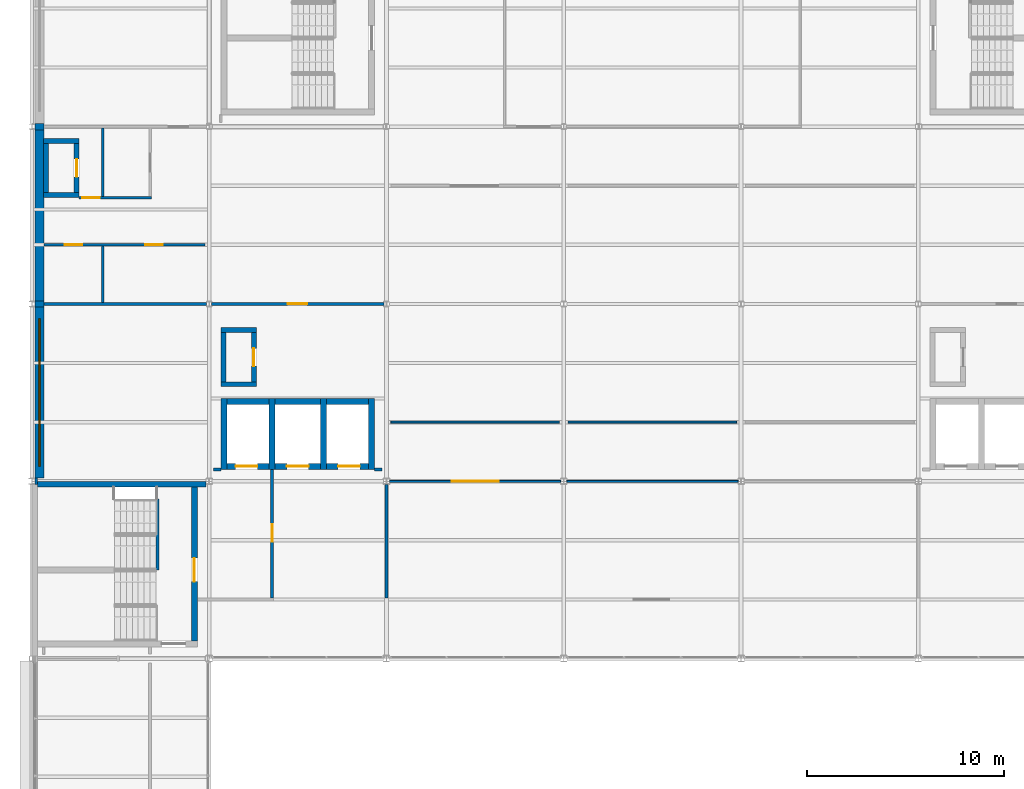
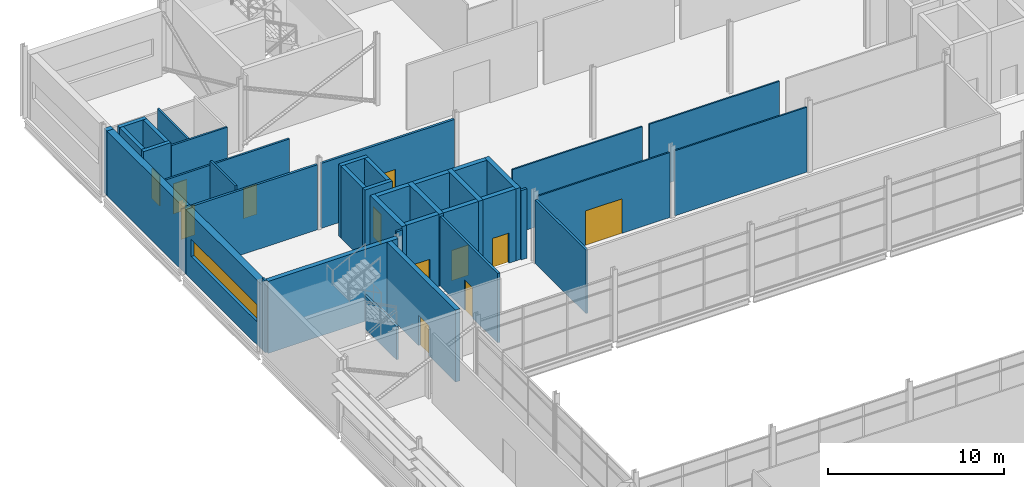
# One storey, part 50 of 61: 40 walls, 12 doors, 1 window, 13 openings.
"""IFC4 building model written with IfcOpenShell, lengths in metres."""

from ifc_helpers import new_model, si_unit, direction, frame, frame_2d, origin, place, context, subcontext, project, spatial, rectangle, extrude, material, layer, layer_set, type_object, element, fill, save


model = new_model("IFC4")

# Units and contexts
model_context = context("Model", 3, precision=1e-05, world=origin(), true_north=direction((0.0, 1.0)))
body_context = subcontext(model_context, "Body", "Model", "MODEL_VIEW")
ifc_project = project(units=[si_unit("LENGTHUNIT", "METRE"), si_unit("AREAUNIT", "SQUARE_METRE"), si_unit("VOLUMEUNIT", "CUBIC_METRE"), si_unit("PLANEANGLEUNIT", "RADIAN"), si_unit("MASSUNIT", "GRAM", prefix="KILO")], contexts=[model_context])

# Site, building, storey
site_placement = place(None, origin())
site = spatial("IfcSite", under=ifc_project, at=site_placement, CompositionType="ELEMENT")
building_placement = place(site_placement, origin())
building = spatial("IfcBuilding", under=site, at=building_placement, Name="Shorebreak Coast Museum", CompositionType="ELEMENT")
storey_placement = place(building_placement, frame((0.0, 0.0, 26.0)))
storey = spatial("IfcBuildingStorey", under=building, at=storey_placement, Name="L04", CompositionType="ELEMENT", Elevation=26.0)

# Walls
ifc_material_1 = material(Name="Concrete N50 (50 MPa)", Category="concrete")
ifc_layer_1 = layer(ifc_material_1, 0.13134765625)
ifc_layer_set_1 = layer_set([ifc_layer_1], Name="Concrete N50 (50 MPa)")
wall_type_1 = type_object("IfcWallType", Name="Column closure panel 131", PredefinedType="SOLIDWALL", material=ifc_layer_set_1)
wall_1_placement = place(storey_placement, frame((54.234375, 89.83642578125, 0.0), z_axis=(0.0, 0.0, 1.0), x_axis=(0.0, 1.0, 0.0)))
element("IfcWall", 1, at=wall_1_placement, inside=storey, type_object=wall_type_1, Name="Column closure panel L04 W 7L", PredefinedType="SOLIDWALL", context=body_context, shape_type="SweptSolid", body=[
    extrude(rectangle(XDim=0.3271484375, YDim=0.13134765625, at=frame_2d((0.16357421875, 0.0))), origin(), (0.0, 0.0, 1.0), 5.0),
])
ifc_material_2 = material(Name="Concrete N50 (50 MPa)", Category="concrete")
ifc_layer_2 = layer(ifc_material_2, 0.449951171875)
ifc_layer_set_2 = layer_set([ifc_layer_2], Name="Concrete N50 (50 MPa)")
wall_type_2 = type_object("IfcWallType", Name="Column closure panel 450", PredefinedType="SOLIDWALL", material=ifc_layer_set_2)
for number, where, z_axis, x_axis, name in (
    (2, (54.3935546875, 98.839111328125, 0.0), (0.0, 0.0, 1.0), (0.0, 1.0, 0.0), "Column closure panel L04 W 7M"),
    (3, (54.3935546875, 107.839111328125, 0.0), (0.0, 0.0, 1.0), (0.0, 1.0, 0.0), "Column closure panel L04 W 7N"),
):
    element("IfcWall", number, at=place(storey_placement, frame(where, z_axis=z_axis, x_axis=x_axis)), inside=storey, type_object=wall_type_2, Name=name, PredefinedType="SOLIDWALL", context=body_context, shape_type="SweptSolid", body=[
        extrude(rectangle(XDim=0.32177734375, YDim=0.449951171875, at=frame_2d((0.160888671875, 0.0))), origin(), (0.0, 0.0, 1.0), 4.497802734375),
    ])

# Wall, opening, window
ifc_material_3 = material(Name="Concrete N50 (50 MPa)", Category="concrete")
ifc_layer_3 = layer(ifc_material_3, 0.449951171875)
ifc_layer_set_3 = layer_set([ifc_layer_3], Name="Concrete N50 (50 MPa)")
wall_type_3 = type_object("IfcWallType", Name="Deep-set precast panel 450", PredefinedType="SOLIDWALL", material=ifc_layer_set_3)
wall_2_placement = place(storey_placement, frame((54.3935546875, 90.16357421875, 0.0), z_axis=(0.0, 0.0, 1.0), x_axis=(0.0, 1.0, 0.0)))
wall_2 = element("IfcWall", 4, at=wall_2_placement, inside=storey, type_object=wall_type_3, Name="External wall L04 W 7L", PredefinedType="SOLIDWALL", context=body_context, shape_type="SweptSolid", body=[
    extrude(rectangle(XDim=8.675537109375, YDim=0.449951171875, at=frame_2d((4.337890625, 0.0))), origin(), (0.0, 0.0, 1.0), 4.497802734375),
])
opening_1_placement = place(wall_2_placement, frame((0.58642578125, 0.0, 1.60009765625)))
opening_1 = element("IfcOpeningElement", 5, at=opening_1_placement, cuts=wall_2, Name="Opening WN4008", PredefinedType="OPENING", context=body_context, shape_type="SweptSolid", body=[
    extrude(rectangle(XDim=7.5, YDim=1.199951171875, at=frame_2d((3.75, 0.60009765625))), frame((0.0, 0.23486328125, 0.0), z_axis=(0.0, -1.0, 0.0), x_axis=(1.0, 0.0, 0.0)), (0.0, 0.0, 1.0), 0.469970703125),
])
ifc_material_4 = material(Name="Aluminium", Category="aluminium")
window_type = type_object("IfcWindowType", Name="Ribbon window 7500 x 1200", PartitioningType="SINGLE_PANEL", PredefinedType="WINDOW", material=ifc_material_4)
window_placement = place(opening_1_placement, origin())
window = element("IfcWindow", 6, at=window_placement, inside=storey, type_object=window_type, Name="Window WN4008", OverallHeight=1.199951171875, OverallWidth=7.5, PartitioningType="SINGLE_PANEL", PredefinedType="WINDOW", context=body_context, shape_type="SweptSolid", body=[
    extrude(rectangle(XDim=7.5, YDim=1.199951171875, at=frame_2d((3.75, 0.60009765625))), frame((0.0, 0.030029296875, 0.0), z_axis=(0.0, -1.0, 0.0), x_axis=(1.0, 0.0, 0.0)), (0.0, 0.0, 1.0), 0.06005859375),
])
fill(opening_1, window)

# Walls
wall_3_placement = place(storey_placement, frame((54.3935546875, 99.160888671875, 0.0), z_axis=(0.0, 0.0, 1.0), x_axis=(0.0, 1.0, 0.0)))
element("IfcWall", 7, at=wall_3_placement, inside=storey, type_object=wall_type_3, Name="External wall L04 W 7M", PredefinedType="SOLIDWALL", context=body_context, shape_type="SweptSolid", body=[
    extrude(rectangle(XDim=8.67822265625, YDim=0.449951171875, at=frame_2d((4.339111328125, 0.0))), origin(), (0.0, 0.0, 1.0), 4.497802734375),
])
ifc_material_5 = material(Name="Plasterboard on steel stud", Category="steel")
ifc_layer_4 = layer(ifc_material_5, 0.14990234375)
ifc_layer_set_4 = layer_set([ifc_layer_4], Name="Plasterboard on steel stud")
wall_type_4 = type_object("IfcWallType", Name="Fire partition 150", PredefinedType="PARTITIONING", material=ifc_layer_set_4)
for number, where, z_axis, x_axis, name in (
    (8, (63.219970703125, 90.60009765625, 0.0), (0.0, 0.0, 1.0), (1.0, 0.0, 0.0), "Partition L04-010"),
    (9, (71.39990234375, 90.60009765625, 0.0), (0.0, 0.0, 1.0), (1.0, 0.0, 0.0), "Partition L04-011"),
):
    element("IfcWall", number, at=place(storey_placement, frame(where, z_axis=z_axis, x_axis=x_axis)), inside=storey, type_object=wall_type_4, Name=name, PredefinedType="PARTITIONING", context=body_context, shape_type="SweptSolid", body=[
        extrude(rectangle(XDim=0.380126953125, YDim=0.14990234375, at=frame_2d((0.18994140625, 0.0))), origin(), (0.0, 0.0, 1.0), 4.824951171875),
    ])
wall_4_placement = place(storey_placement, frame((54.61865234375, 99.0, 0.0), z_axis=(0.0, 0.0, 1.0), x_axis=(1.0, 0.0, 0.0)))
element("IfcWall", 10, at=wall_4_placement, inside=storey, type_object=wall_type_4, Name="Partition L04-017", PredefinedType="PARTITIONING", context=body_context, shape_type="SweptSolid", body=[
    extrude(rectangle(XDim=8.25341796875, YDim=0.14990234375, at=frame_2d((4.126708984375, 0.0))), origin(), (0.0, 0.0, 1.0), 4.517822265625),
])

# Wall, opening, door
wall_5_placement = place(storey_placement, frame((63.1279296875, 99.0, 0.0), z_axis=(0.0, 0.0, 1.0), x_axis=(1.0, 0.0, 0.0)))
wall_5 = element("IfcWall", 11, at=wall_5_placement, inside=storey, type_object=wall_type_4, Name="Partition L04-018", PredefinedType="PARTITIONING", context=body_context, shape_type="SweptSolid", body=[
    extrude(rectangle(XDim=8.744140625, YDim=0.14990234375, at=frame_2d((4.3720703125, 0.0))), origin(), (0.0, 0.0, 1.0), 4.517822265625),
])
opening_2_placement = place(wall_5_placement, frame((3.85009765625, 0.0, 0.0)))
opening_2 = element("IfcOpeningElement", 12, at=opening_2_placement, cuts=wall_5, Name="Opening D4009", PredefinedType="OPENING", context=body_context, shape_type="SweptSolid", body=[
    extrude(rectangle(XDim=1.0, YDim=2.39990234375, at=frame_2d((0.5, 1.199951171875))), frame((0.0, 0.0849609375, 0.0), z_axis=(0.0, -1.0, 0.0), x_axis=(1.0, 0.0, 0.0)), (0.0, 0.0, 1.0), 0.169921875),
])
ifc_material_6 = material(Name="Steel", Category="steel")
door_type_1 = type_object("IfcDoorType", Name="Fire door 1000x2400 60", OperationType="SINGLE_SWING_LEFT", PredefinedType="DOOR", material=ifc_material_6)
door_1_placement = place(opening_2_placement, origin())
door_1 = element("IfcDoor", 13, at=door_1_placement, inside=storey, type_object=door_type_1, Name="Door D4009 Lift Services Room W", OperationType="SINGLE_SWING_LEFT", OverallHeight=2.39990234375, OverallWidth=1.0, PredefinedType="DOOR", context=body_context, shape_type="SweptSolid", body=[
    extrude(rectangle(XDim=1.0, YDim=2.39990234375, at=frame_2d((0.5, 1.199951171875))), frame((0.0, 0.02490234375, 0.0), z_axis=(0.0, -1.0, 0.0), x_axis=(1.0, 0.0, 0.0)), (0.0, 0.0, 1.0), 0.050048828125),
])
fill(opening_2, door_1)

wall_6_placement = place(storey_placement, frame((66.199951171875, 84.074951171875, 0.0), z_axis=(0.0, 0.0, 1.0), x_axis=(0.0, 1.0, 0.0)))
wall_6 = element("IfcWall", 14, at=wall_6_placement, inside=storey, type_object=wall_type_4, Name="Partition L04-042", PredefinedType="PARTITIONING", context=body_context, shape_type="SweptSolid", body=[
    extrude(rectangle(XDim=6.525146484375, YDim=0.14990234375, at=frame_2d((3.2626953125, 0.0))), origin(), (0.0, 0.0, 1.0), 4.824951171875),
])
opening_3_placement = place(wall_6_placement, frame((2.85009765625, 0.0, 0.0)))
opening_3 = element("IfcOpeningElement", 15, at=opening_3_placement, cuts=wall_6, Name="Opening D4001", PredefinedType="OPENING", context=body_context, shape_type="SweptSolid", body=[
    extrude(rectangle(XDim=0.89990234375, YDim=2.10009765625, at=frame_2d((0.449951171875, 1.050048828125))), frame((0.0, 0.0849609375, 0.0), z_axis=(0.0, -1.0, 0.0), x_axis=(1.0, 0.0, 0.0)), (0.0, 0.0, 1.0), 0.169921875),
])
ifc_material_7 = material(Name="Steel", Category="steel")
door_type_2 = type_object("IfcDoorType", Name="Fire door 900x2100 60", OperationType="SINGLE_SWING_LEFT", PredefinedType="DOOR", material=ifc_material_7)
door_2_placement = place(opening_3_placement, origin())
door_2 = element("IfcDoor", 16, at=door_2_placement, inside=storey, type_object=door_type_2, Name="Door D4001 Firefighting Lift Lobby W", OperationType="SINGLE_SWING_LEFT", OverallHeight=2.10009765625, OverallWidth=0.89990234375, PredefinedType="DOOR", context=body_context, shape_type="SweptSolid", body=[
    extrude(rectangle(XDim=0.89990234375, YDim=2.10009765625, at=frame_2d((0.449951171875, 1.050048828125))), frame((0.0, 0.02490234375, 0.0), z_axis=(0.0, -1.0, 0.0), x_axis=(1.0, 0.0, 0.0)), (0.0, 0.0, 1.0), 0.050048828125),
])
fill(opening_3, door_2)

# Wall
wall_7_placement = place(storey_placement, frame((72.0, 84.074951171875, 0.0), z_axis=(0.0, 0.0, 1.0), x_axis=(0.0, 1.0, 0.0)))
element("IfcWall", 17, at=wall_7_placement, inside=storey, type_object=wall_type_4, Name="Partition L04-044", PredefinedType="PARTITIONING", context=body_context, shape_type="SweptSolid", body=[
    extrude(rectangle(XDim=5.761474609375, YDim=0.14990234375, at=frame_2d((2.880859375, 0.0))), origin(), (0.0, 0.0, 1.0), 4.418701171875),
])

# Wall, opening, door
ifc_material_8 = material(Name="Plasterboard on steel stud", Category="steel")
ifc_layer_5 = layer(ifc_material_8, 0.10009765625)
ifc_layer_set_5 = layer_set([ifc_layer_5], Name="Plasterboard on steel stud")
wall_type_5 = type_object("IfcWallType", Name="Partition 100", PredefinedType="PARTITIONING", material=ifc_layer_set_5)
wall_8_placement = place(storey_placement, frame((72.155517578125, 90.0, 0.0), z_axis=(0.0, 0.0, 1.0), x_axis=(1.0, 0.0, 0.0)))
wall_8 = element("IfcWall", 18, at=wall_8_placement, inside=storey, type_object=wall_type_5, Name="Partition L04-007", PredefinedType="PARTITIONING", context=body_context, shape_type="SweptSolid", body=[
    extrude(rectangle(XDim=8.68896484375, YDim=0.10009765625, at=frame_2d((4.344482421875, 0.0))), origin(), (0.0, 0.0, 1.0), 4.517822265625),
])
opening_4_placement = place(wall_8_placement, frame((3.14990234375, 0.0, 0.0)))
opening_4 = element("IfcOpeningElement", 19, at=opening_4_placement, cuts=wall_8, Name="Opening D4021", PredefinedType="OPENING", context=body_context, shape_type="SweptSolid", body=[
    extrude(rectangle(XDim=2.39990234375, YDim=2.39990234375, at=frame_2d((1.199951171875, 1.199951171875))), frame((0.0, 0.06005859375, 0.0), z_axis=(0.0, -1.0, 0.0), x_axis=(1.0, 0.0, 0.0)), (0.0, 0.0, 1.0), 0.1201171875),
])
ifc_material_9 = material(Name="Timber", Category="wood")
door_type_3 = type_object("IfcDoorType", Name="Interior door 2400x2400", OperationType="DOUBLE_DOOR_SINGLE_SWING", PredefinedType="DOOR", material=ifc_material_9)
door_3_placement = place(opening_4_placement, origin())
door_3 = element("IfcDoor", 20, at=door_3_placement, inside=storey, type_object=door_type_3, Name="Door D4021 Members Lounge", OperationType="DOUBLE_DOOR_SINGLE_SWING", OverallHeight=2.39990234375, OverallWidth=2.39990234375, PredefinedType="DOOR", context=body_context, shape_type="SweptSolid", body=[
    extrude(rectangle(XDim=2.39990234375, YDim=2.39990234375, at=frame_2d((1.199951171875, 1.199951171875))), frame((0.0, 0.02490234375, 0.0), z_axis=(0.0, -1.0, 0.0), x_axis=(1.0, 0.0, 0.0)), (0.0, 0.0, 1.0), 0.050048828125),
])
fill(opening_4, door_3)

# Walls
wall_9_placement = place(storey_placement, frame((81.155517578125, 90.0, 0.0), z_axis=(0.0, 0.0, 1.0), x_axis=(1.0, 0.0, 0.0)))
element("IfcWall", 21, at=wall_9_placement, inside=storey, type_object=wall_type_5, Name="Partition L04-008", PredefinedType="PARTITIONING", context=body_context, shape_type="SweptSolid", body=[
    extrude(rectangle(XDim=8.68896484375, YDim=0.10009765625, at=frame_2d((4.344482421875, 0.0))), origin(), (0.0, 0.0, 1.0), 4.517822265625),
])
for number, where, z_axis, x_axis, name in (
    (22, (72.219970703125, 93.0, 0.0), (0.0, 0.0, 1.0), (1.0, 0.0, 0.0), "Partition L04-014"),
    (23, (81.219970703125, 93.0, 0.0), (0.0, 0.0, 1.0), (1.0, 0.0, 0.0), "Partition L04-015"),
):
    element("IfcWall", number, at=place(storey_placement, frame(where, z_axis=z_axis, x_axis=x_axis)), inside=storey, type_object=wall_type_5, Name=name, PredefinedType="PARTITIONING", context=body_context, shape_type="SweptSolid", body=[
        extrude(rectangle(XDim=8.56005859375, YDim=0.10009765625, at=frame_2d((4.280029296875, 0.0))), origin(), (0.0, 0.0, 1.0), 4.52099609375),
    ])

# Wall, openings, doors
ifc_material_10 = material(Name="Plasterboard on steel stud", Category="steel")
ifc_layer_6 = layer(ifc_material_10, 0.125)
ifc_layer_set_6 = layer_set([ifc_layer_6], Name="Plasterboard on steel stud")
wall_type_6 = type_object("IfcWallType", Name="Partition 125", PredefinedType="PARTITIONING", material=ifc_layer_set_6)
wall_10_placement = place(storey_placement, frame((54.61865234375, 102.0, 0.0), z_axis=(0.0, 0.0, 1.0), x_axis=(1.0, 0.0, 0.0)))
wall_10 = element("IfcWall", 24, at=wall_10_placement, inside=storey, type_object=wall_type_6, Name="Partition L04-021", PredefinedType="PARTITIONING", context=body_context, shape_type="SweptSolid", body=[
    extrude(rectangle(XDim=8.161376953125, YDim=0.125, at=frame_2d((4.08056640625, 0.0))), origin(), (0.0, 0.0, 1.0), 4.52099609375),
])
opening_5_placement = place(wall_10_placement, frame((1.050048828125, 0.0, 0.0)))
opening_5 = element("IfcOpeningElement", 25, at=opening_5_placement, cuts=wall_10, Name="Opening D4013", PredefinedType="OPENING", context=body_context, shape_type="SweptSolid", body=[
    extrude(rectangle(XDim=0.89990234375, YDim=2.10009765625, at=frame_2d((0.449951171875, 1.050048828125))), frame((0.0, 0.072509765625, 0.0), z_axis=(0.0, -1.0, 0.0), x_axis=(1.0, 0.0, 0.0)), (0.0, 0.0, 1.0), 0.14501953125),
])
opening_6_placement = place(wall_10_placement, frame((5.13134765625, 0.0, 0.0)))
opening_6 = element("IfcOpeningElement", 26, at=opening_6_placement, cuts=wall_10, Name="Opening D4014", PredefinedType="OPENING", context=body_context, shape_type="SweptSolid", body=[
    extrude(rectangle(XDim=0.89990234375, YDim=2.10009765625, at=frame_2d((0.449951171875, 1.050048828125))), frame((0.0, 0.072509765625, 0.0), z_axis=(0.0, -1.0, 0.0), x_axis=(1.0, 0.0, 0.0)), (0.0, 0.0, 1.0), 0.14501953125),
])
ifc_material_11 = material(Name="Timber", Category="wood")
door_type_4 = type_object("IfcDoorType", Name="Interior door 900x2100", OperationType="SINGLE_SWING_LEFT", PredefinedType="DOOR", material=ifc_material_11)
door_4_placement = place(opening_5_placement, origin())
door_4 = element("IfcDoor", 27, at=door_4_placement, inside=storey, type_object=door_type_4, Name="Door D4013 Accessible WC N1", OperationType="SINGLE_SWING_RIGHT", OverallHeight=2.10009765625, OverallWidth=0.89990234375, PredefinedType="DOOR", context=body_context, shape_type="SweptSolid", body=[
    extrude(rectangle(XDim=0.89990234375, YDim=2.10009765625, at=frame_2d((0.449951171875, 1.050048828125))), frame((0.0, 0.02490234375, 0.0), z_axis=(0.0, -1.0, 0.0), x_axis=(1.0, 0.0, 0.0)), (0.0, 0.0, 1.0), 0.050048828125),
])
fill(opening_5, door_4)
door_5_placement = place(opening_6_placement, origin())
door_5 = element("IfcDoor", 28, at=door_5_placement, inside=storey, type_object=door_type_4, Name="Door D4014 Male WC N1", OperationType="SINGLE_SWING_LEFT", OverallHeight=2.10009765625, OverallWidth=0.89990234375, PredefinedType="DOOR", context=body_context, shape_type="SweptSolid", body=[
    extrude(rectangle(XDim=0.89990234375, YDim=2.10009765625, at=frame_2d((0.449951171875, 1.050048828125))), frame((0.0, 0.02490234375, 0.0), z_axis=(0.0, -1.0, 0.0), x_axis=(1.0, 0.0, 0.0)), (0.0, 0.0, 1.0), 0.050048828125),
])
fill(opening_6, door_5)

# Wall, opening, door
wall_11_placement = place(storey_placement, frame((56.39990234375, 104.39990234375, 0.0), z_axis=(0.0, 0.0, 1.0), x_axis=(1.0, 0.0, 0.0)))
wall_11 = element("IfcWall", 29, at=wall_11_placement, inside=storey, type_object=wall_type_6, Name="Partition L04-023", PredefinedType="PARTITIONING", context=body_context, shape_type="SweptSolid", body=[
    extrude(rectangle(XDim=3.66259765625, YDim=0.125, at=frame_2d((1.831298828125, 0.0))), origin(), (0.0, 0.0, 1.0), 4.824951171875),
])
opening_7_placement = place(wall_11_placement, frame((0.14990234375, 0.0, 0.0)))
opening_7 = element("IfcOpeningElement", 30, at=opening_7_placement, cuts=wall_11, Name="Opening D4011", PredefinedType="OPENING", context=body_context, shape_type="SweptSolid", body=[
    extrude(rectangle(XDim=0.89990234375, YDim=2.10009765625, at=frame_2d((0.449951171875, 1.050048828125))), frame((0.0, 0.072509765625, 0.0), z_axis=(0.0, -1.0, 0.0), x_axis=(1.0, 0.0, 0.0)), (0.0, 0.0, 1.0), 0.14501953125),
])
door_6_placement = place(opening_7_placement, origin())
door_6 = element("IfcDoor", 31, at=door_6_placement, inside=storey, type_object=door_type_4, Name="Door D4011 Cleaner Store N1", OperationType="SINGLE_SWING_LEFT", OverallHeight=2.10009765625, OverallWidth=0.89990234375, PredefinedType="DOOR", context=body_context, shape_type="SweptSolid", body=[
    extrude(rectangle(XDim=0.89990234375, YDim=2.10009765625, at=frame_2d((0.449951171875, 1.050048828125))), frame((0.0, 0.02490234375, 0.0), z_axis=(0.0, -1.0, 0.0), x_axis=(1.0, 0.0, 0.0)), (0.0, 0.0, 1.0), 0.050048828125),
])
fill(opening_7, door_6)

# Walls
wall_12_placement = place(storey_placement, frame((57.60009765625, 99.074951171875, 0.0), z_axis=(0.0, 0.0, 1.0), x_axis=(0.0, 1.0, 0.0)))
element("IfcWall", 32, at=wall_12_placement, inside=storey, type_object=wall_type_6, Name="Partition L04-035", PredefinedType="PARTITIONING", context=body_context, shape_type="SweptSolid", body=[
    extrude(rectangle(XDim=2.862548828125, YDim=0.125, at=frame_2d((1.43115234375, 0.0))), origin(), (0.0, 0.0, 1.0), 4.824951171875),
])
wall_13_placement = place(storey_placement, frame((57.60009765625, 104.46240234375, 0.0), z_axis=(0.0, 0.0, 1.0), x_axis=(0.0, 1.0, 0.0)))
element("IfcWall", 33, at=wall_13_placement, inside=storey, type_object=wall_type_6, Name="Partition L04-036", PredefinedType="PARTITIONING", context=body_context, shape_type="SweptSolid", body=[
    extrude(rectangle(XDim=3.47509765625, YDim=0.125, at=frame_2d((1.737548828125, 0.0))), origin(), (0.0, 0.0, 1.0), 4.824951171875),
])
ifc_material_12 = material(Name="Concrete N50 (50 MPa)", Category="concrete")
ifc_layer_7 = layer(ifc_material_12, 0.25)
ifc_layer_set_7 = layer_set([ifc_layer_7], Name="Concrete N50 (50 MPa)")
wall_type_7 = type_object("IfcWallType", Name="RC riser wall 250", PredefinedType="STANDARD", material=ifc_layer_set_7)
for number, where, z_axis, x_axis, name in (
    (34, (54.60009765625, 104.52490234375, 0.0), (0.0, 0.0, 1.0), (1.0, 0.0, 0.0), "Riser wall R-WC-N1 L04 S"),
    (35, (54.60009765625, 107.27490234375, 0.0), (0.0, 0.0, 1.0), (1.0, 0.0, 0.0), "Riser wall R-WC-N1 L04 N"),
):
    element("IfcWall", number, at=place(storey_placement, frame(where, z_axis=z_axis, x_axis=x_axis)), inside=storey, type_object=wall_type_7, Name=name, PredefinedType="STANDARD", context=body_context, shape_type="SweptSolid", body=[
        extrude(rectangle(XDim=1.7998046875, YDim=0.25, at=frame_2d((0.89990234375, 0.0))), origin(), (0.0, 0.0, 1.0), 5.0),
    ])
wall_14_placement = place(storey_placement, frame((54.72509765625, 104.64990234375, 0.0), z_axis=(0.0, 0.0, 1.0), x_axis=(0.0, 1.0, 0.0)))
element("IfcWall", 36, at=wall_14_placement, inside=storey, type_object=wall_type_7, Name="Riser wall R-WC-N1 L04 W", PredefinedType="STANDARD", context=body_context, shape_type="SweptSolid", body=[
    extrude(rectangle(XDim=2.5, YDim=0.25, at=frame_2d((1.25, 0.0))), origin(), (0.0, 0.0, 1.0), 5.0),
])

# Wall, opening, door
wall_15_placement = place(storey_placement, frame((56.27490234375, 104.64990234375, 0.0), z_axis=(0.0, 0.0, 1.0), x_axis=(0.0, 1.0, 0.0)))
wall_15 = element("IfcWall", 37, at=wall_15_placement, inside=storey, type_object=wall_type_7, Name="Riser wall R-WC-N1 L04 E", PredefinedType="STANDARD", context=body_context, shape_type="SweptSolid", body=[
    extrude(rectangle(XDim=2.5, YDim=0.25, at=frame_2d((1.25, 0.0))), origin(), (0.0, 0.0, 1.0), 5.0),
])
opening_8_placement = place(wall_15_placement, frame((0.800048828125, 0.0, 0.0)))
opening_8 = element("IfcOpeningElement", 38, at=opening_8_placement, cuts=wall_15, Name="Opening D4601", PredefinedType="OPENING", context=body_context, shape_type="SweptSolid", body=[
    extrude(rectangle(XDim=0.89990234375, YDim=2.10009765625, at=frame_2d((0.449951171875, 1.050048828125))), frame((0.0, 0.135009765625, 0.0), z_axis=(0.0, -1.0, 0.0), x_axis=(1.0, 0.0, 0.0)), (0.0, 0.0, 1.0), 0.27001953125),
])
ifc_material_13 = material(Name="Steel Grade 300", Category="steel")
door_type_5 = type_object("IfcDoorType", Name="Riser door 900x2100", OperationType="SINGLE_SWING_LEFT", PredefinedType="DOOR", material=ifc_material_13)
door_7_placement = place(opening_8_placement, origin())
door_7 = element("IfcDoor", 39, at=door_7_placement, inside=storey, type_object=door_type_5, Name="Riser door R-WC-N1 L04", OperationType="SINGLE_SWING_LEFT", OverallHeight=2.10009765625, OverallWidth=0.89990234375, PredefinedType="DOOR", context=body_context, shape_type="SweptSolid", body=[
    extrude(rectangle(XDim=0.89990234375, YDim=2.10009765625, at=frame_2d((0.449951171875, 1.050048828125))), frame((0.0, 0.02490234375, 0.0), z_axis=(0.0, -1.0, 0.0), x_axis=(1.0, 0.0, 0.0)), (0.0, 0.0, 1.0), 0.050048828125),
])
fill(opening_8, door_7)

# Walls
for number, where, z_axis, x_axis, name in (
    (40, (63.60009765625, 94.925048828125, 0.0), (0.0, 0.0, 1.0), (1.0, 0.0, 0.0), "Riser wall R-LBW L04 S"),
    (41, (63.60009765625, 97.675048828125, 0.0), (0.0, 0.0, 1.0), (1.0, 0.0, 0.0), "Riser wall R-LBW L04 N"),
):
    element("IfcWall", number, at=place(storey_placement, frame(where, z_axis=z_axis, x_axis=x_axis)), inside=storey, type_object=wall_type_7, Name=name, PredefinedType="STANDARD", context=body_context, shape_type="SweptSolid", body=[
        extrude(rectangle(XDim=1.7998046875, YDim=0.25, at=frame_2d((0.89990234375, 0.0))), origin(), (0.0, 0.0, 1.0), 5.0),
    ])
wall_16_placement = place(storey_placement, frame((63.72509765625, 95.050048828125, 0.0), z_axis=(0.0, 0.0, 1.0), x_axis=(0.0, 1.0, 0.0)))
element("IfcWall", 42, at=wall_16_placement, inside=storey, type_object=wall_type_7, Name="Riser wall R-LBW L04 W", PredefinedType="STANDARD", context=body_context, shape_type="SweptSolid", body=[
    extrude(rectangle(XDim=2.5, YDim=0.25, at=frame_2d((1.25, 0.0))), origin(), (0.0, 0.0, 1.0), 5.0),
])

# Wall, opening, door
wall_17_placement = place(storey_placement, frame((65.27490234375, 95.050048828125, 0.0), z_axis=(0.0, 0.0, 1.0), x_axis=(0.0, 1.0, 0.0)))
wall_17 = element("IfcWall", 43, at=wall_17_placement, inside=storey, type_object=wall_type_7, Name="Riser wall R-LBW L04 E", PredefinedType="STANDARD", context=body_context, shape_type="SweptSolid", body=[
    extrude(rectangle(XDim=2.5, YDim=0.25, at=frame_2d((1.25, 0.0))), origin(), (0.0, 0.0, 1.0), 5.0),
])
opening_9_placement = place(wall_17_placement, frame((0.800048828125, 0.0, 0.0)))
opening_9 = element("IfcOpeningElement", 44, at=opening_9_placement, cuts=wall_17, Name="Opening D4606", PredefinedType="OPENING", context=body_context, shape_type="SweptSolid", body=[
    extrude(rectangle(XDim=0.89990234375, YDim=2.10009765625, at=frame_2d((0.449951171875, 1.050048828125))), frame((0.0, 0.135009765625, 0.0), z_axis=(0.0, -1.0, 0.0), x_axis=(1.0, 0.0, 0.0)), (0.0, 0.0, 1.0), 0.27001953125),
])
door_8_placement = place(opening_9_placement, origin())
door_8 = element("IfcDoor", 45, at=door_8_placement, inside=storey, type_object=door_type_5, Name="Riser door R-LBW L04", OperationType="SINGLE_SWING_LEFT", OverallHeight=2.10009765625, OverallWidth=0.89990234375, PredefinedType="DOOR", context=body_context, shape_type="SweptSolid", body=[
    extrude(rectangle(XDim=0.89990234375, YDim=2.10009765625, at=frame_2d((0.449951171875, 1.050048828125))), frame((0.0, 0.02490234375, 0.0), z_axis=(0.0, -1.0, 0.0), x_axis=(1.0, 0.0, 0.0)), (0.0, 0.0, 1.0), 0.050048828125),
])
fill(opening_9, door_8)

# Wall
ifc_material_14 = material(Name="Concrete N50 (50 MPa)", Category="concrete")
ifc_layer_8 = layer(ifc_material_14, 0.300048828125)
ifc_layer_set_8 = layer_set([ifc_layer_8], Name="Concrete N50 (50 MPa)")
wall_type_8 = type_object("IfcWallType", Name="RC wall 300", PredefinedType="SHEAR", material=ifc_layer_set_8)
wall_18_placement = place(storey_placement, frame((54.300048828125, 89.85009765625, 0.0), z_axis=(0.0, 0.0, 1.0), x_axis=(1.0, 0.0, 0.0)))
element("IfcWall", 46, at=wall_18_placement, inside=storey, type_object=wall_type_8, Name="Stair core wall ST03 L04 N", PredefinedType="SHEAR", context=body_context, shape_type="SweptSolid", body=[
    extrude(rectangle(XDim=8.54443359375, YDim=0.300048828125, at=frame_2d((4.272216796875, 0.0))), origin(), (0.0, 0.0, 1.0), 5.0),
])

# Wall, opening, door
wall_19_placement = place(storey_placement, frame((62.25, 81.89990234375, 0.0), z_axis=(0.0, 0.0, 1.0), x_axis=(0.0, 1.0, 0.0)))
wall_19 = element("IfcWall", 47, at=wall_19_placement, inside=storey, type_object=wall_type_8, Name="Stair core wall ST03 L04 E", PredefinedType="SHEAR", context=body_context, shape_type="SweptSolid", body=[
    extrude(rectangle(XDim=7.800048828125, YDim=0.300048828125, at=frame_2d((3.89990234375, 0.0))), origin(), (0.0, 0.0, 1.0), 5.0),
])
opening_10_placement = place(wall_19_placement, frame((3.0, 0.0, 0.0)))
opening_10 = element("IfcOpeningElement", 48, at=opening_10_placement, cuts=wall_19, Name="Opening D4803", PredefinedType="OPENING", context=body_context, shape_type="SweptSolid", body=[
    extrude(rectangle(XDim=1.199951171875, YDim=2.10009765625, at=frame_2d((0.60009765625, 1.050048828125))), frame((0.0, 0.159912109375, 0.0), z_axis=(0.0, -1.0, 0.0), x_axis=(1.0, 0.0, 0.0)), (0.0, 0.0, 1.0), 0.320068359375),
])
ifc_material_15 = material(Name="Steel Grade 300", Category="steel")
door_type_6 = type_object("IfcDoorType", Name="Fire door 1200x2100", OperationType="SINGLE_SWING_LEFT", PredefinedType="DOOR", material=ifc_material_15)
door_9_placement = place(opening_10_placement, origin())
door_9 = element("IfcDoor", 49, at=door_9_placement, inside=storey, type_object=door_type_6, Name="Stair door ST03 L04", OperationType="SINGLE_SWING_RIGHT", OverallHeight=2.10009765625, OverallWidth=1.199951171875, PredefinedType="DOOR", context=body_context, shape_type="SweptSolid", body=[
    extrude(rectangle(XDim=1.199951171875, YDim=2.10009765625, at=frame_2d((0.60009765625, 1.050048828125))), frame((0.0, 0.02490234375, 0.0), z_axis=(0.0, -1.0, 0.0), x_axis=(1.0, 0.0, 0.0)), (0.0, 0.0, 1.0), 0.050048828125),
])
fill(opening_10, door_9)

# Walls
for number, where, z_axis, x_axis, name in (
    (50, (63.75, 90.60009765625, 0.0), (0.0, 0.0, 1.0), (0.0, 1.0, 0.0), "Lift shaft wall LBW L04 1"),
    (51, (66.199951171875, 90.60009765625, 0.0), (0.0, 0.0, 1.0), (0.0, 1.0, 0.0), "Lift shaft wall LBW L04 2"),
    (52, (68.800048828125, 90.60009765625, 0.0), (0.0, 0.0, 1.0), (0.0, 1.0, 0.0), "Lift shaft wall LBW L04 3"),
    (53, (71.25, 90.60009765625, 0.0), (0.0, 0.0, 1.0), (0.0, 1.0, 0.0), "Lift shaft wall LBW L04 4"),
):
    element("IfcWall", number, at=place(storey_placement, frame(where, z_axis=z_axis, x_axis=x_axis)), inside=storey, type_object=wall_type_8, Name=name, PredefinedType="SHEAR", context=body_context, shape_type="SweptSolid", body=[
        extrude(rectangle(XDim=3.599853515625, YDim=0.300048828125, at=frame_2d((1.7998046875, 0.0))), origin(), (0.0, 0.0, 1.0), 5.0),
    ])

# Wall, opening, door
wall_20_placement = place(storey_placement, frame((63.89990234375, 90.75, 0.0), z_axis=(0.0, 0.0, 1.0), x_axis=(1.0, 0.0, 0.0)))
wall_20 = element("IfcWall", 54, at=wall_20_placement, inside=storey, type_object=wall_type_8, Name="Lift shaft wall FL1 L04 F", PredefinedType="SHEAR", context=body_context, shape_type="SweptSolid", body=[
    extrude(rectangle(XDim=2.150146484375, YDim=0.300048828125, at=frame_2d((1.0751953125, 0.0))), origin(), (0.0, 0.0, 1.0), 5.0),
])
opening_11_placement = place(wall_20_placement, frame((0.449951171875, 0.0, 0.0)))
opening_11 = element("IfcOpeningElement", 55, at=opening_11_placement, cuts=wall_20, Name="Opening LD4-FL1", PredefinedType="OPENING", context=body_context, shape_type="SweptSolid", body=[
    extrude(rectangle(XDim=1.10009765625, YDim=2.10009765625, at=frame_2d((0.550048828125, 1.050048828125))), frame((0.0, 0.159912109375, 0.0), z_axis=(0.0, -1.0, 0.0), x_axis=(1.0, 0.0, 0.0)), (0.0, 0.0, 1.0), 0.320068359375),
])
ifc_material_16 = material(Name="Steel Grade 300", Category="steel")
door_type_7 = type_object("IfcDoorType", Name="Landing door 1100x2100", OperationType="DOUBLE_DOOR_SLIDING", PredefinedType="DOOR", material=ifc_material_16)
door_10_placement = place(opening_11_placement, origin())
door_10 = element("IfcDoor", 56, at=door_10_placement, inside=storey, type_object=door_type_7, Name="Landing door FL1 L04", OperationType="DOUBLE_DOOR_SLIDING", OverallHeight=2.10009765625, OverallWidth=1.10009765625, PredefinedType="DOOR", context=body_context, shape_type="SweptSolid", body=[
    extrude(rectangle(XDim=1.10009765625, YDim=2.10009765625, at=frame_2d((0.550048828125, 1.050048828125))), frame((0.0, 0.02490234375, 0.0), z_axis=(0.0, -1.0, 0.0), x_axis=(1.0, 0.0, 0.0)), (0.0, 0.0, 1.0), 0.050048828125),
])
fill(opening_11, door_10)

# Wall
wall_21_placement = place(storey_placement, frame((63.89990234375, 94.050048828125, 0.0), z_axis=(0.0, 0.0, 1.0), x_axis=(1.0, 0.0, 0.0)))
element("IfcWall", 57, at=wall_21_placement, inside=storey, type_object=wall_type_8, Name="Lift shaft wall FL1 L04 B", PredefinedType="SHEAR", context=body_context, shape_type="SweptSolid", body=[
    extrude(rectangle(XDim=2.150146484375, YDim=0.300048828125, at=frame_2d((1.0751953125, 0.0))), origin(), (0.0, 0.0, 1.0), 5.0),
])

# Wall, opening, door
wall_22_placement = place(storey_placement, frame((66.35009765625, 90.75, 0.0), z_axis=(0.0, 0.0, 1.0), x_axis=(1.0, 0.0, 0.0)))
wall_22 = element("IfcWall", 58, at=wall_22_placement, inside=storey, type_object=wall_type_8, Name="Lift shaft wall P1 L04 F", PredefinedType="SHEAR", context=body_context, shape_type="SweptSolid", body=[
    extrude(rectangle(XDim=2.2998046875, YDim=0.300048828125, at=frame_2d((1.14990234375, 0.0))), origin(), (0.0, 0.0, 1.0), 5.0),
])
opening_12_placement = place(wall_22_placement, frame((0.60009765625, 0.0, 0.0)))
opening_12 = element("IfcOpeningElement", 59, at=opening_12_placement, cuts=wall_22, Name="Opening LD4-P1", PredefinedType="OPENING", context=body_context, shape_type="SweptSolid", body=[
    extrude(rectangle(XDim=1.10009765625, YDim=2.10009765625, at=frame_2d((0.550048828125, 1.050048828125))), frame((0.0, 0.159912109375, 0.0), z_axis=(0.0, -1.0, 0.0), x_axis=(1.0, 0.0, 0.0)), (0.0, 0.0, 1.0), 0.320068359375),
])
door_11_placement = place(opening_12_placement, origin())
door_11 = element("IfcDoor", 60, at=door_11_placement, inside=storey, type_object=door_type_7, Name="Landing door P1 L04", OperationType="DOUBLE_DOOR_SLIDING", OverallHeight=2.10009765625, OverallWidth=1.10009765625, PredefinedType="DOOR", context=body_context, shape_type="SweptSolid", body=[
    extrude(rectangle(XDim=1.10009765625, YDim=2.10009765625, at=frame_2d((0.550048828125, 1.050048828125))), frame((0.0, 0.02490234375, 0.0), z_axis=(0.0, -1.0, 0.0), x_axis=(1.0, 0.0, 0.0)), (0.0, 0.0, 1.0), 0.050048828125),
])
fill(opening_12, door_11)

# Wall
wall_23_placement = place(storey_placement, frame((66.35009765625, 94.050048828125, 0.0), z_axis=(0.0, 0.0, 1.0), x_axis=(1.0, 0.0, 0.0)))
element("IfcWall", 61, at=wall_23_placement, inside=storey, type_object=wall_type_8, Name="Lift shaft wall P1 L04 B", PredefinedType="SHEAR", context=body_context, shape_type="SweptSolid", body=[
    extrude(rectangle(XDim=2.2998046875, YDim=0.300048828125, at=frame_2d((1.14990234375, 0.0))), origin(), (0.0, 0.0, 1.0), 5.0),
])

# Wall, opening, door
wall_24_placement = place(storey_placement, frame((68.949951171875, 90.75, 0.0), z_axis=(0.0, 0.0, 1.0), x_axis=(1.0, 0.0, 0.0)))
wall_24 = element("IfcWall", 62, at=wall_24_placement, inside=storey, type_object=wall_type_8, Name="Lift shaft wall P2 L04 F", PredefinedType="SHEAR", context=body_context, shape_type="SweptSolid", body=[
    extrude(rectangle(XDim=2.150146484375, YDim=0.300048828125, at=frame_2d((1.0751953125, 0.0))), origin(), (0.0, 0.0, 1.0), 5.0),
])
opening_13_placement = place(wall_24_placement, frame((0.60009765625, 0.0, 0.0)))
opening_13 = element("IfcOpeningElement", 63, at=opening_13_placement, cuts=wall_24, Name="Opening LD4-P2", PredefinedType="OPENING", context=body_context, shape_type="SweptSolid", body=[
    extrude(rectangle(XDim=1.10009765625, YDim=2.10009765625, at=frame_2d((0.550048828125, 1.050048828125))), frame((0.0, 0.159912109375, 0.0), z_axis=(0.0, -1.0, 0.0), x_axis=(1.0, 0.0, 0.0)), (0.0, 0.0, 1.0), 0.320068359375),
])
door_12_placement = place(opening_13_placement, origin())
door_12 = element("IfcDoor", 64, at=door_12_placement, inside=storey, type_object=door_type_7, Name="Landing door P2 L04", OperationType="DOUBLE_DOOR_SLIDING", OverallHeight=2.10009765625, OverallWidth=1.10009765625, PredefinedType="DOOR", context=body_context, shape_type="SweptSolid", body=[
    extrude(rectangle(XDim=1.10009765625, YDim=2.10009765625, at=frame_2d((0.550048828125, 1.050048828125))), frame((0.0, 0.02490234375, 0.0), z_axis=(0.0, -1.0, 0.0), x_axis=(1.0, 0.0, 0.0)), (0.0, 0.0, 1.0), 0.050048828125),
])
fill(opening_13, door_12)

# Walls
wall_25_placement = place(storey_placement, frame((68.949951171875, 94.050048828125, 0.0), z_axis=(0.0, 0.0, 1.0), x_axis=(1.0, 0.0, 0.0)))
element("IfcWall", 65, at=wall_25_placement, inside=storey, type_object=wall_type_8, Name="Lift shaft wall P2 L04 B", PredefinedType="SHEAR", context=body_context, shape_type="SweptSolid", body=[
    extrude(rectangle(XDim=2.150146484375, YDim=0.300048828125, at=frame_2d((1.0751953125, 0.0))), origin(), (0.0, 0.0, 1.0), 5.0),
])
ifc_material_17 = material(Name="Concrete N50 (50 MPa)", Category="concrete")
ifc_layer_9 = layer(ifc_material_17, 0.14990234375)
ifc_layer_set_9 = layer_set([ifc_layer_9], Name="Concrete N50 (50 MPa)")
wall_type_9 = type_object("IfcWallType", Name="Understair wall 150", PredefinedType="STANDARD", material=ifc_layer_set_9)
wall_26_placement = place(storey_placement, frame((60.375, 85.5, 0.0), z_axis=(0.0, 0.0, 1.0), x_axis=(0.0, 1.0, 0.0)))
element("IfcWall", 66, at=wall_26_placement, inside=storey, type_object=wall_type_9, Name="Understair wall ST03 L04 floor", PredefinedType="STANDARD", context=body_context, shape_type="SweptSolid", body=[
    extrude(rectangle(XDim=3.60009765625, YDim=0.14990234375, at=frame_2d((1.800048828125, 0.0))), origin(), (0.0, 0.0, 1.0), 2.300048828125),
])

save(model, "model.ifc")
